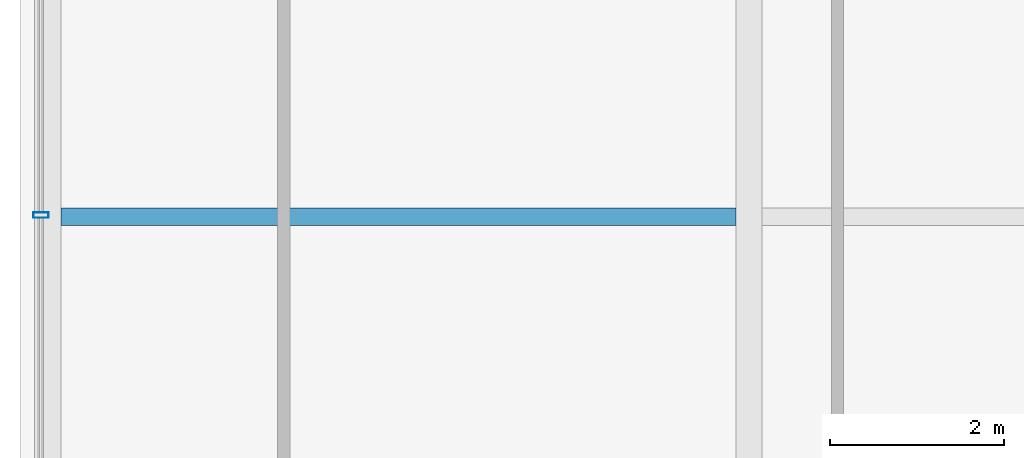
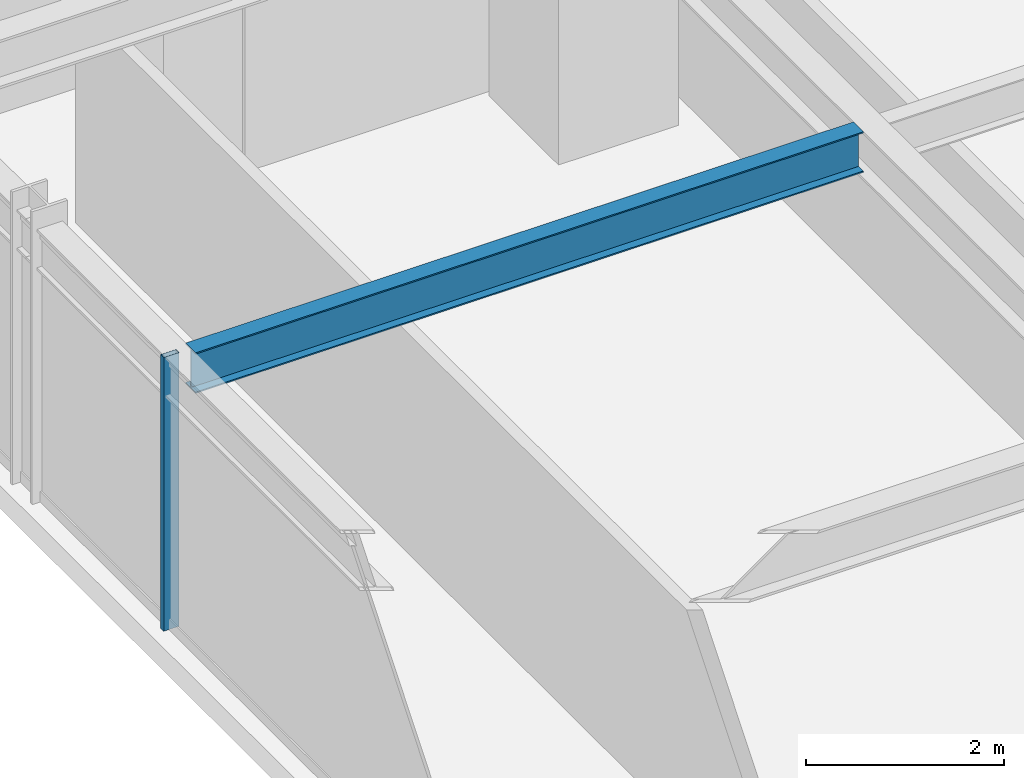
# One storey, part 6 of 35: 1 beam, 1 member, 1 element without a shape of its own.
"""IFC4 building model written with IfcOpenShell, lengths in metres."""

from ifc_helpers import new_model, si_unit, direction, frame, origin, origin_2d, place, context, subcontext, project, spatial, hollow_rectangle, i_section, extrude, source, transform, mapped, material, material_profile, profile_set, type_object, element, aggregate, save


model = new_model("IFC4")

# Units and contexts
model_context = context("Model", 3, precision=1e-05, world=origin(), true_north=direction((0.0, 1.0)))
body_context = subcontext(model_context, "Body", "Model", "MODEL_VIEW")
ifc_project = project(units=[si_unit("LENGTHUNIT", "METRE"), si_unit("AREAUNIT", "SQUARE_METRE"), si_unit("VOLUMEUNIT", "CUBIC_METRE"), si_unit("PLANEANGLEUNIT", "RADIAN"), si_unit("MASSUNIT", "GRAM", prefix="KILO")], contexts=[model_context])

# Site, building, storey
site_placement = place(None, origin())
site = spatial("IfcSite", under=ifc_project, at=site_placement, CompositionType="ELEMENT")
building_placement = place(site_placement, origin())
building = spatial("IfcBuilding", under=site, at=building_placement, Name="Nahalor Promenade Grand Hotel", CompositionType="ELEMENT")
storey_placement = place(building_placement, frame((0.0, 0.0, 39.699951171875)))
storey = spatial("IfcBuildingStorey", under=building, at=storey_placement, Name="L08", CompositionType="ELEMENT", Elevation=39.699951171875)

# Beam
ifc_material_1 = material(Name="Steel S355JR", Category="steel")
ifc_material_profile_1 = material_profile(ifc_material_1, i_section(OverallWidth=0.2, OverallDepth=0.5, WebThickness=0.0102, FlangeThickness=0.016, at=origin_2d()), Name="IPE 500")
ifc_profile_set_1 = profile_set([ifc_material_profile_1], Name="Steel S355JR")
beam_type = type_object("IfcBeamType", Name="Beam-Joist-IPE500", PredefinedType="JOIST", material=ifc_profile_set_1)
shared_shape_1 = source(origin(), body_context, "Body", "SweptSolid", [
    extrude(i_section(OverallWidth=0.2, OverallDepth=0.5, WebThickness=0.0102, FlangeThickness=0.016, at=origin_2d()), origin(), (0.0, 0.0, 1.0), 7.780029296875),
])
beam_placement = place(storey_placement, frame((-24.929931640625, -11.199951171875, 3.1201171875), z_axis=(1.0, 0.0, 0.0), x_axis=(0.0, 1.0, 0.0)))
element("IfcBeam", 1, at=beam_placement, inside=storey, type_object=beam_type, Name="BM-L08-JSW-0-0", PredefinedType="JOIST", context=body_context, shape_type="MappedRepresentation", body=[
    mapped(shared_shape_1, transform((0.0, 0.0, 0.0), scale=1.0)),
])

# Curtain wall, member
ifc_material_2 = material(Name="Anodised Bronze Aluminium EN AW-6063 T6", Category="aluminium")
curtain_wall_type = type_object("IfcCurtainWallType", Name="CW2 Typical Hotel Flush Bronze Unitised Curtain Wall", PredefinedType="USERDEFINED", material=ifc_material_2)
curtain_wall_placement = place(storey_placement, origin())
curtain_wall = element("IfcCurtainWall", 2, at=curtain_wall_placement, inside=storey, type_object=curtain_wall_type, Name="L08 Curtain Wall CW-L08-W-1", ObjectType="UNITISED_CURTAIN_WALL", PredefinedType="USERDEFINED")
ifc_material_profile_2 = material_profile(ifc_material_2, hollow_rectangle(XDim=0.065, YDim=0.18, WallThickness=0.004, at=origin_2d()), Name="CWM 65x180x4")
ifc_profile_set_2 = profile_set([ifc_material_profile_2], Name="Anodised Bronze Aluminium EN AW-6063 T6")
member_type = type_object("IfcMemberType", Name="CWM2 Typical Bronze Mullion 65x180", PredefinedType="MULLION", material=ifc_profile_set_2)
shared_shape_2 = source(origin(), body_context, "Body", "SweptSolid", [
    extrude(hollow_rectangle(XDim=0.065, YDim=0.18, WallThickness=0.004, at=origin_2d()), origin(), (0.0, 0.0, 1.0), 3.3701171875),
])
member_placement = place(storey_placement, frame((-25.159912109375, -11.179931640625, 0.0), z_axis=(0.0, 0.0, 1.0), x_axis=(0.0, 1.0, 0.0)))
member = element("IfcMember", 3, at=member_placement, type_object=member_type, Name="CW-L08-W-1 Mullion 1", PredefinedType="MULLION", context=body_context, shape_type="MappedRepresentation", body=[
    mapped(shared_shape_2, transform((0.0, 0.0, 0.0), scale=1.0)),
])
aggregate(curtain_wall, [member])

save(model, "model.ifc")
